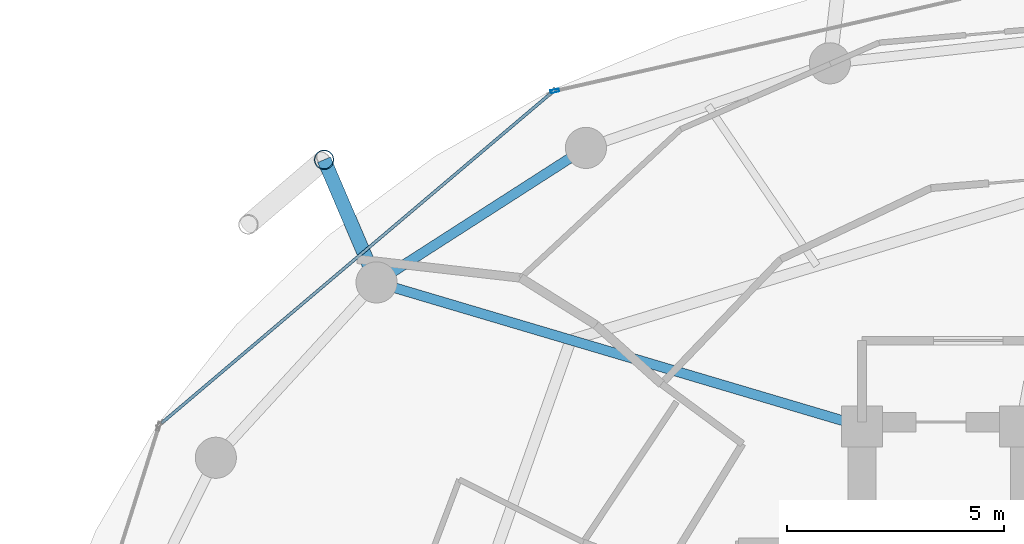
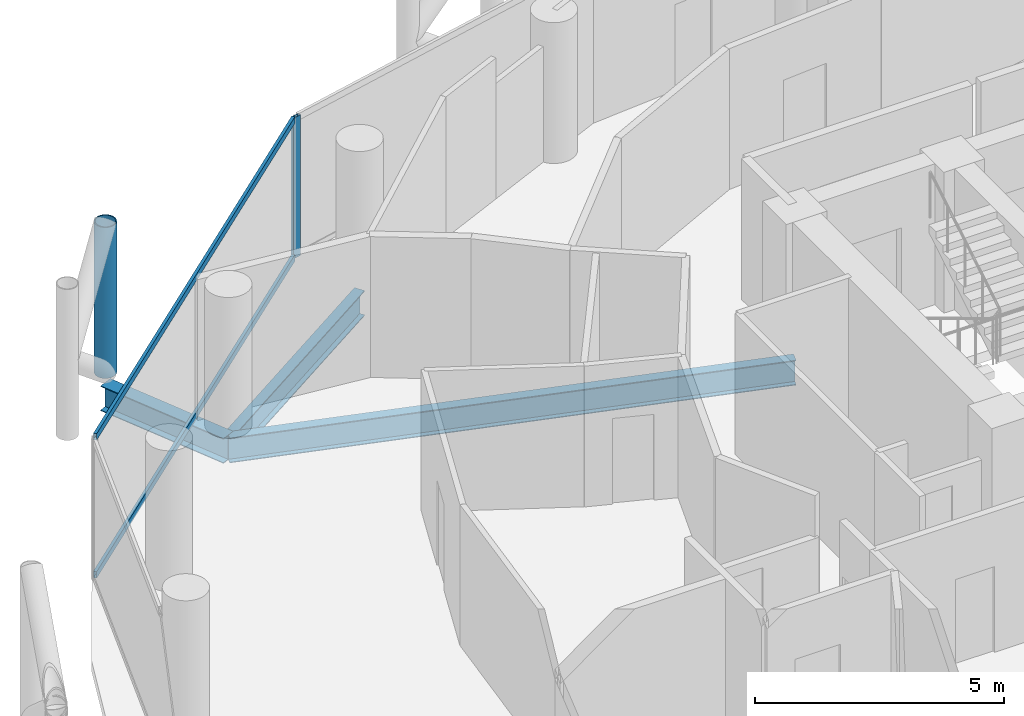
# One storey, part 14 of 26: 4 members, 3 beams, 2 elements without a shape of their own.
"""IFC4 building model written with IfcOpenShell, lengths in metres."""

from ifc_helpers import new_model, si_unit, direction, frame, origin, origin_2d, place, context, subcontext, project, spatial, hollow_rectangle, hollow_circle, i_section, extrude, material, layer, layer_set, material_profile, profile_set, type_object, element, aggregate, save


model = new_model("IFC4")

# Units and contexts
model_context = context("Model", 3, precision=1e-05, world=origin(), true_north=direction((0.0, 1.0)))
body_context = subcontext(model_context, "Body", "Model", "MODEL_VIEW")
ifc_project = project(units=[si_unit("LENGTHUNIT", "METRE"), si_unit("AREAUNIT", "SQUARE_METRE"), si_unit("VOLUMEUNIT", "CUBIC_METRE"), si_unit("PLANEANGLEUNIT", "RADIAN"), si_unit("MASSUNIT", "GRAM", prefix="KILO")], contexts=[model_context])

# Site, building, storey
site_placement = place(None, origin())
site = spatial("IfcSite", under=ifc_project, at=site_placement, CompositionType="ELEMENT")
building_placement = place(site_placement, origin())
building = spatial("IfcBuilding", under=site, at=building_placement, Name="Nuhasar Tower", CompositionType="ELEMENT")
storey_placement = place(building_placement, frame((0.0, 0.0, 155.25)))
storey = spatial("IfcBuildingStorey", under=building, at=storey_placement, Name="L37", CompositionType="ELEMENT", Elevation=155.25)

# Beams
ifc_material_1 = material(Name="Steel S355", Category="steel")
ifc_material_profile_1 = material_profile(ifc_material_1, i_section(OverallWidth=0.22900390625, OverallDepth=0.612060546875, WebThickness=0.011962890625, FlangeThickness=0.01953125, at=origin_2d()), Name="W24X84")
ifc_profile_set_1 = profile_set([ifc_material_profile_1], Name="Steel S355")
beam_type_1 = type_object("IfcBeamType", Name="BM-RAD-W24X84", PredefinedType="BEAM", material=ifc_profile_set_1)
beam_1_placement = place(storey_placement, frame((33.699951171875, 37.300048828125, -0.555908203125), z_axis=(-0.958746492721, 0.284262489076, 0.0), x_axis=(-0.284262489076, -0.958746492721, 0.0)))
element("IfcBeam", 1, at=beam_1_placement, inside=storey, type_object=beam_type_1, Name="L37 Radial Floor Girder 07", PredefinedType="BEAM", context=body_context, shape_type="SweptSolid", body=[
    extrude(i_section(OverallWidth=0.22900390625, OverallDepth=0.612060546875, WebThickness=0.011962890625, FlangeThickness=0.01953125, at=origin_2d()), origin(), (0.0, 0.0, 1.0), 11.693359375),
])
ifc_material_profile_2 = material_profile(ifc_material_1, i_section(OverallWidth=0.22998046875, OverallDepth=0.616943359375, WebThickness=0.01318359375, FlangeThickness=0.022216796875, at=origin_2d()), Name="W24X94")
ifc_profile_set_2 = profile_set([ifc_material_profile_2], Name="Steel S355")
beam_type_2 = type_object("IfcBeamType", Name="BM-RING-W24X94", PredefinedType="SPANDREL", material=ifc_profile_set_2)
beam_2_placement = place(storey_placement, frame((27.324951171875, 43.73095703125, -0.55908203125), z_axis=(-0.841327486207, -0.540525726448, 0.0), x_axis=(0.540525726448, -0.841327486207, 0.0)))
element("IfcBeam", 2, at=beam_2_placement, inside=storey, type_object=beam_type_2, Name="L37 Perimeter Ring Spandrel 09", PredefinedType="SPANDREL", context=body_context, shape_type="SweptSolid", body=[
    extrude(i_section(OverallWidth=0.22998046875, OverallDepth=0.616943359375, WebThickness=0.01318359375, FlangeThickness=0.022216796875, at=origin_2d()), origin(), (0.0, 0.0, 1.0), 5.748046875),
])
ifc_material_profile_3 = material_profile(ifc_material_1, i_section(OverallWidth=0.323974609375, OverallDepth=0.611083984375, WebThickness=0.0126953125, FlangeThickness=0.01904296875, at=origin_2d()), Name="W24X104")
ifc_profile_set_3 = profile_set([ifc_material_profile_3], Name="Steel S355")
beam_type_3 = type_object("IfcBeamType", Name="BM-TIE-W24X104", PredefinedType="BEAM", material=ifc_profile_set_3)
beam_3_placement = place(storey_placement, frame((22.489013671875, 40.6240234375, -0.554931640625), z_axis=(-0.39330721304, 0.919407111225, 0.0), x_axis=(-0.919407111225, -0.39330721304, 0.0)))
element("IfcBeam", 3, at=beam_3_placement, inside=storey, type_object=beam_type_3, Name="L37 Exoskeleton Node Tie Beam 05", PredefinedType="BEAM", context=body_context, shape_type="SweptSolid", body=[
    extrude(i_section(OverallWidth=0.323974609375, OverallDepth=0.611083984375, WebThickness=0.0126953125, FlangeThickness=0.01904296875, at=origin_2d()), origin(), (0.0, 0.0, 1.0), 3.081298828125),
])

# Curtain wall, member
ifc_material_2 = material(Name="Aluminium 6063-T6", Category="aluminium")
ifc_layer = layer(ifc_material_2, 0.199951171875)
ifc_layer_set = layer_set([ifc_layer], Name="Aluminium 6063-T6")
curtain_wall_type = type_object("IfcCurtainWallType", Name="CW-Z2-HTL", PredefinedType="NOTDEFINED", material=ifc_layer_set)
curtain_wall_1_placement = place(storey_placement, origin())
curtain_wall_1 = element("IfcCurtainWall", 4, at=curtain_wall_1_placement, inside=storey, type_object=curtain_wall_type, Name="L37 Unitised Curtain Wall 04", PredefinedType="NOTDEFINED")
ifc_material_profile_4 = material_profile(ifc_material_2, hollow_rectangle(XDim=0.070068359375, YDim=0.199951171875, WallThickness=0.0048828125, at=origin_2d()), Name="CWM-3")
ifc_profile_set_4 = profile_set([ifc_material_profile_4], Name="Aluminium 6063-T6")
member_type_1 = type_object("IfcMemberType", Name="CW-MUL-S3", PredefinedType="MULLION", material=ifc_profile_set_4)
member_1_placement = place(storey_placement, frame((26.604248046875, 45.045654296875, 0.0), z_axis=(0.0, 0.0, 1.0), x_axis=(0.22139729566, -0.975183694221, 0.0)))
member_1 = element("IfcMember", 5, at=member_1_placement, type_object=member_type_1, Name="CW-Z2 mullion 2", PredefinedType="MULLION", context=body_context, shape_type="SweptSolid", body=[
    extrude(hollow_rectangle(XDim=0.070068359375, YDim=0.199951171875, WallThickness=0.0048828125, at=origin_2d()), origin(), (0.0, 0.0, 1.0), 3.449951171875),
])
aggregate(curtain_wall_1, [member_1])

# Curtain wall, members
curtain_wall_2_placement = place(storey_placement, origin())
curtain_wall_2 = element("IfcCurtainWall", 6, at=curtain_wall_2_placement, inside=storey, type_object=curtain_wall_type, Name="L37 Unitised Curtain Wall 05", PredefinedType="NOTDEFINED")
ifc_material_profile_5 = material_profile(ifc_material_2, hollow_rectangle(XDim=0.070068359375, YDim=0.159912109375, WallThickness=0.00439453125, at=origin_2d()), Name="CWT-3")
ifc_profile_set_5 = profile_set([ifc_material_profile_5], Name="Aluminium 6063-T6")
member_type_2 = type_object("IfcMemberType", Name="CW-TRN-S3", PredefinedType="USERDEFINED", material=ifc_profile_set_5)
member_2_placement = place(storey_placement, frame((26.5166015625, 44.99267578125, 0.034912109375), z_axis=(-0.763023915269, -0.646370253592, 0.0), x_axis=(0.646370253592, -0.763023915269, 0.0)))
member_2 = element("IfcMember", 7, at=member_2_placement, type_object=member_type_2, Name="CW-Z2 transom 1.1", ObjectType="TRANSOM", PredefinedType="USERDEFINED", context=body_context, shape_type="SweptSolid", body=[
    extrude(hollow_rectangle(XDim=0.070068359375, YDim=0.159912109375, WallThickness=0.00439453125, at=origin_2d()), origin(), (0.0, 0.0, 1.0), 11.784912109375),
])
member_3_placement = place(storey_placement, frame((26.5166015625, 44.99267578125, 3.4150390625), z_axis=(-0.763023915269, -0.646370253592, 0.0), x_axis=(0.646370253592, -0.763023915269, 0.0)))
member_3 = element("IfcMember", 8, at=member_3_placement, type_object=member_type_2, Name="CW-Z2 transom 1.2", ObjectType="TRANSOM", PredefinedType="USERDEFINED", context=body_context, shape_type="SweptSolid", body=[
    extrude(hollow_rectangle(XDim=0.070068359375, YDim=0.159912109375, WallThickness=0.00439453125, at=origin_2d()), origin(), (0.0, 0.0, 1.0), 11.784912109375),
])
aggregate(curtain_wall_2, [member_2, member_3])

# Member
ifc_material_3 = material(Name="Steel S460", Category="steel")
ifc_material_profile_6 = material_profile(ifc_material_3, hollow_circle(Radius=0.228515625, WallThickness=0.022216796875, at=origin_2d()), Name="HSS457X22.2")
ifc_profile_set_6 = profile_set([ifc_material_profile_6], Name="Steel S460")
member_type_3 = type_object("IfcMemberType", Name="EXO-BRONZE-457", PredefinedType="BRACE", material=ifc_profile_set_6)
member_4_placement = place(storey_placement, frame((21.277099609375, 43.45703125, 0.0), z_axis=(0.0, 0.0, 1.0), x_axis=(1.0, 0.0, 0.0)))
element("IfcMember", 9, at=member_4_placement, inside=storey, type_object=member_type_3, Name="L37 Exoskeleton Chord Column EC-05A", PredefinedType="BRACE", context=body_context, shape_type="SweptSolid", body=[
    extrude(hollow_circle(Radius=0.228515625, WallThickness=0.022216796875, at=origin_2d()), origin(), (0.0, 0.0, 1.0), 3.699951171875),
])

save(model, "model.ifc")
